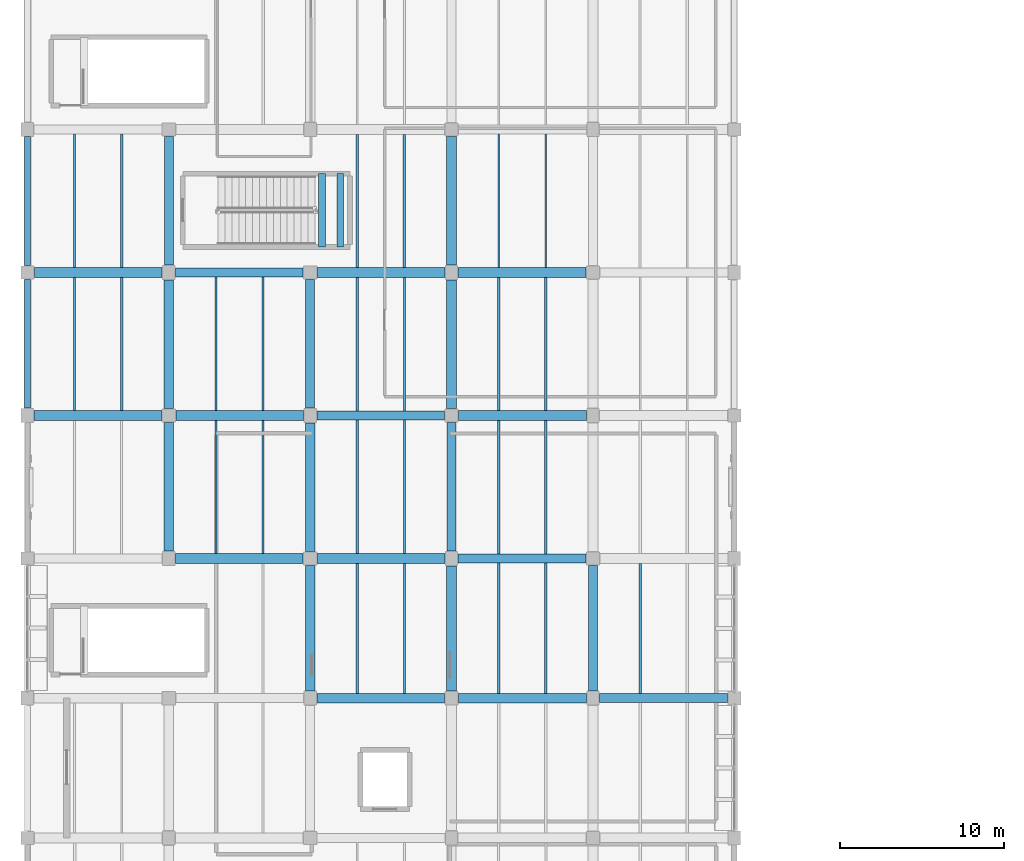
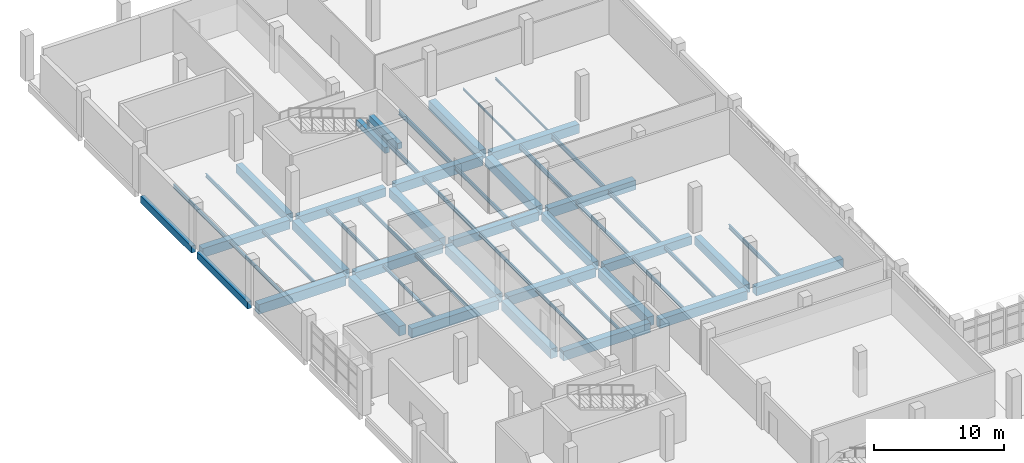
# One storey, part 43 of 76: 54 beams.
"""IFC4 building model written with IfcOpenShell, lengths in metres."""

from ifc_helpers import new_model, si_unit, direction, frame, origin, origin_2d, place, context, subcontext, project, spatial, rectangle, i_section, extrude, material, material_profile, profile_set, type_object, element, save


model = new_model("IFC4")

# Units and contexts
model_context = context("Model", 3, precision=1e-05, world=origin(), true_north=direction((0.0, 1.0)))
body_context = subcontext(model_context, "Body", "Model", "MODEL_VIEW")
ifc_project = project(units=[si_unit("LENGTHUNIT", "METRE"), si_unit("AREAUNIT", "SQUARE_METRE"), si_unit("VOLUMEUNIT", "CUBIC_METRE"), si_unit("PLANEANGLEUNIT", "RADIAN"), si_unit("MASSUNIT", "GRAM", prefix="KILO")], contexts=[model_context])

# Site, building, storey
site_placement = place(None, origin())
site = spatial("IfcSite", under=ifc_project, at=site_placement, CompositionType="ELEMENT")
building_placement = place(site_placement, origin())
building = spatial("IfcBuilding", under=site, at=building_placement, Name="Varnakota Cinema and Media Centre", CompositionType="ELEMENT")
storey_placement = place(building_placement, origin())
storey = spatial("IfcBuildingStorey", under=building, at=storey_placement, Name="L00", CompositionType="ELEMENT", Elevation=0.0)

# Beams
ifc_material_1 = material(Name="Concrete M35", Category="concrete")
ifc_material_profile_1 = material_profile(ifc_material_1, rectangle(XDim=0.39990234375, YDim=0.550048828125, at=origin_2d()), Name="RCB 400x550")
ifc_profile_set_1 = profile_set([ifc_material_profile_1], Name="Concrete M35")
beam_type_1 = type_object("IfcBeamType", Name="BM-RC-400x550", PredefinedType="BEAM", material=ifc_profile_set_1)
for number, where, z_axis, x_axis, name in (
    (1, (17.919921875, 88.449951171875, 1.77490234375), (0.0, 1.0, 0.0), (-1.0, 0.0, 0.0), "L00 ST-05 landing support beam 1"),
    (2, (19.0400390625, 88.449951171875, 1.77490234375), (0.0, 1.0, 0.0), (-1.0, 0.0, 0.0), "L00 ST-05 landing support beam 2"),
):
    element("IfcBeam", number, at=place(storey_placement, frame(where, z_axis=z_axis, x_axis=x_axis)), inside=storey, type_object=beam_type_1, Name=name, PredefinedType="BEAM", context=body_context, shape_type="SweptSolid", body=[
        extrude(rectangle(XDim=0.39990234375, YDim=0.550048828125, at=origin_2d()), origin(), (0.0, 0.0, 1.0), 4.449951171875),
    ])
ifc_material_2 = material(Name="Concrete M35", Category="concrete")
ifc_material_profile_2 = material_profile(ifc_material_2, rectangle(XDim=0.550048828125, YDim=0.800048828125, at=origin_2d()), Name="RCB 550x800")
ifc_profile_set_2 = profile_set([ifc_material_profile_2], Name="Concrete M35")
beam_type_2 = type_object("IfcBeamType", Name="BM-RC-550x800", PredefinedType="BEAM", material=ifc_profile_set_2)
beam_1_placement = place(storey_placement, frame((34.800048828125, 61.0, -0.679931640625), z_axis=(1.0, 0.0, 0.0), x_axis=(0.0, 1.0, 0.0)))
element("IfcBeam", 3, at=beam_1_placement, inside=storey, type_object=beam_type_2, Name="L00 girder E-F/8", PredefinedType="BEAM", context=body_context, shape_type="SweptSolid", body=[
    extrude(rectangle(XDim=0.550048828125, YDim=0.800048828125, at=origin_2d()), origin(), (0.0, 0.0, 1.0), 7.77490234375),
])
beam_2_placement = place(storey_placement, frame((26.199951171875, 69.5, -0.679931640625), z_axis=(1.0, 0.0, 0.0), x_axis=(0.0, 1.0, 0.0)))
element("IfcBeam", 4, at=beam_2_placement, inside=storey, type_object=beam_type_2, Name="L00 girder D-E/9", PredefinedType="BEAM", context=body_context, shape_type="SweptSolid", body=[
    extrude(rectangle(XDim=0.550048828125, YDim=0.800048828125, at=origin_2d()), origin(), (0.0, 0.0, 1.0), 7.775146484375),
])
for number, where, z_axis, x_axis, name in (
    (5, (17.60009765625, 78.199951171875, -0.679931640625), (1.0, 0.0, 0.0), (0.0, 1.0, 0.0), "L00 girder C-D/10"),
    (6, (9.0, 86.89990234375, -0.679931640625), (1.0, 0.0, 0.0), (0.0, 1.0, 0.0), "L00 girder B-C/11"),
):
    element("IfcBeam", number, at=place(storey_placement, frame(where, z_axis=z_axis, x_axis=x_axis)), inside=storey, type_object=beam_type_2, Name=name, PredefinedType="BEAM", context=body_context, shape_type="SweptSolid", body=[
        extrude(rectangle(XDim=0.550048828125, YDim=0.800048828125, at=origin_2d()), origin(), (0.0, 0.0, 1.0), 7.77490234375),
    ])
beam_3_placement = place(storey_placement, frame((8.60009765625, 87.35009765625, -0.679931640625), z_axis=(0.0, 1.0, 0.0), x_axis=(-1.0, 0.0, 0.0)))
element("IfcBeam", 7, at=beam_3_placement, inside=storey, type_object=beam_type_2, Name="L00 girder B/11-12", PredefinedType="BEAM", context=body_context, shape_type="SweptSolid", body=[
    extrude(rectangle(XDim=0.550048828125, YDim=0.800048828125, at=origin_2d()), origin(), (0.0, 0.0, 1.0), 7.824951171875),
])
beam_4_placement = place(storey_placement, frame((17.199951171875, 78.64990234375, -0.679931640625), z_axis=(0.0, 1.0, 0.0), x_axis=(-1.0, 0.0, 0.0)))
element("IfcBeam", 8, at=beam_4_placement, inside=storey, type_object=beam_type_2, Name="L00 girder C/10-11", PredefinedType="BEAM", context=body_context, shape_type="SweptSolid", body=[
    extrude(rectangle(XDim=0.550048828125, YDim=0.800048828125, at=origin_2d()), origin(), (0.0, 0.0, 1.0), 7.8251953125),
])
beam_5_placement = place(storey_placement, frame((25.800048828125, 69.949951171875, -0.679931640625), z_axis=(0.0, 1.0, 0.0), x_axis=(-1.0, 0.0, 0.0)))
element("IfcBeam", 9, at=beam_5_placement, inside=storey, type_object=beam_type_2, Name="L00 girder D/9-10", PredefinedType="BEAM", context=body_context, shape_type="SweptSolid", body=[
    extrude(rectangle(XDim=0.550048828125, YDim=0.800048828125, at=origin_2d()), origin(), (0.0, 0.0, 1.0), 7.824951171875),
])
beam_6_placement = place(storey_placement, frame((34.39990234375, 61.449951171875, -0.679931640625), z_axis=(0.0, 1.0, 0.0), x_axis=(-1.0, 0.0, 0.0)))
element("IfcBeam", 10, at=beam_6_placement, inside=storey, type_object=beam_type_2, Name="L00 girder E/8-9", PredefinedType="BEAM", context=body_context, shape_type="SweptSolid", body=[
    extrude(rectangle(XDim=0.550048828125, YDim=0.800048828125, at=origin_2d()), origin(), (0.0, 0.0, 1.0), 7.625),
])
ifc_material_3 = material(Name="Concrete M35", Category="concrete")
ifc_material_profile_3 = material_profile(ifc_material_3, rectangle(XDim=0.60009765625, YDim=0.85009765625, at=origin_2d()), Name="RCB 600x850")
ifc_profile_set_3 = profile_set([ifc_material_profile_3], Name="Concrete M35")
beam_type_3 = type_object("IfcBeamType", Name="BM-RC-600x850", PredefinedType="BEAM", material=ifc_profile_set_3)
for number, where, z_axis, x_axis, name in (
    (11, (26.22509765625, 61.0, -0.705078125), (1.0, 0.0, 0.0), (0.0, 1.0, 0.0), "L00 girder D-E/8"),
    (12, (17.625, 69.5, -0.705078125), (1.0, 0.0, 0.0), (0.0, 1.0, 0.0), "L00 girder C-D/9"),
):
    element("IfcBeam", number, at=place(storey_placement, frame(where, z_axis=z_axis, x_axis=x_axis)), inside=storey, type_object=beam_type_3, Name=name, PredefinedType="BEAM", context=body_context, shape_type="SweptSolid", body=[
        extrude(rectangle(XDim=0.60009765625, YDim=0.85009765625, at=origin_2d()), origin(), (0.0, 0.0, 1.0), 7.77490234375),
    ])
beam_7_placement = place(storey_placement, frame((9.02490234375, 78.199951171875, -0.705078125), z_axis=(1.0, 0.0, 0.0), x_axis=(0.0, 1.0, 0.0)))
element("IfcBeam", 13, at=beam_7_placement, inside=storey, type_object=beam_type_3, Name="L00 girder B-C/10", PredefinedType="BEAM", context=body_context, shape_type="SweptSolid", body=[
    extrude(rectangle(XDim=0.60009765625, YDim=0.85009765625, at=origin_2d()), origin(), (0.0, 0.0, 1.0), 7.775146484375),
])
beam_8_placement = place(storey_placement, frame((0.425048828125, 86.89990234375, -0.705078125), z_axis=(1.0, 0.0, 0.0), x_axis=(0.0, 1.0, 0.0)))
element("IfcBeam", 14, at=beam_8_placement, inside=storey, type_object=beam_type_3, Name="L00 girder A-B/11", PredefinedType="BEAM", context=body_context, shape_type="SweptSolid", body=[
    extrude(rectangle(XDim=0.60009765625, YDim=0.85009765625, at=origin_2d()), origin(), (0.0, 0.0, 1.0), 7.77490234375),
])
beam_9_placement = place(storey_placement, frame((26.199951171875, 86.89990234375, -0.705078125), z_axis=(1.0, 0.0, 0.0), x_axis=(0.0, 1.0, 0.0)))
element("IfcBeam", 15, at=beam_9_placement, inside=storey, type_object=beam_type_3, Name="L00 girder D-E/11", PredefinedType="BEAM", context=body_context, shape_type="SweptSolid", body=[
    extrude(rectangle(XDim=0.60009765625, YDim=0.85009765625, at=origin_2d()), origin(), (0.0, 0.0, 1.0), 7.775146484375),
])
for number, where, z_axis, x_axis, name in (
    (16, (8.60009765625, 78.625, -0.705078125), (0.0, 1.0, 0.0), (-1.0, 0.0, 0.0), "L00 girder B/10-11"),
    (17, (17.199951171875, 69.925048828125, -0.705078125), (0.0, 1.0, 0.0), (-1.0, 0.0, 0.0), "L00 girder C/9-10"),
):
    element("IfcBeam", number, at=place(storey_placement, frame(where, z_axis=z_axis, x_axis=x_axis)), inside=storey, type_object=beam_type_3, Name=name, PredefinedType="BEAM", context=body_context, shape_type="SweptSolid", body=[
        extrude(rectangle(XDim=0.60009765625, YDim=0.85009765625, at=origin_2d()), origin(), (0.0, 0.0, 1.0), 7.824951171875),
    ])
beam_10_placement = place(storey_placement, frame((25.800048828125, 61.425048828125, -0.705078125), z_axis=(0.0, 1.0, 0.0), x_axis=(-1.0, 0.0, 0.0)))
element("IfcBeam", 18, at=beam_10_placement, inside=storey, type_object=beam_type_3, Name="L00 girder D/8-9", PredefinedType="BEAM", context=body_context, shape_type="SweptSolid", body=[
    extrude(rectangle(XDim=0.60009765625, YDim=0.85009765625, at=origin_2d()), origin(), (0.0, 0.0, 1.0), 7.625),
])
beam_11_placement = place(storey_placement, frame((25.800048828125, 87.35009765625, -0.705078125), z_axis=(0.0, 1.0, 0.0), x_axis=(-1.0, 0.0, 0.0)))
element("IfcBeam", 19, at=beam_11_placement, inside=storey, type_object=beam_type_3, Name="L00 girder D/11-12", PredefinedType="BEAM", context=body_context, shape_type="SweptSolid", body=[
    extrude(rectangle(XDim=0.60009765625, YDim=0.85009765625, at=origin_2d()), origin(), (0.0, 0.0, 1.0), 7.824951171875),
])
ifc_material_4 = material(Name="Concrete M40", Category="concrete")
ifc_material_profile_4 = material_profile(ifc_material_4, rectangle(XDim=0.60009765625, YDim=0.89990234375, at=origin_2d()), Name="RCB 600x900")
ifc_profile_set_4 = profile_set([ifc_material_profile_4], Name="Concrete M40")
beam_type_4 = type_object("IfcBeamType", Name="BM-RC-600x900", PredefinedType="BEAM", material=ifc_profile_set_4)
for number, where, z_axis, x_axis, name in (
    (20, (17.60009765625, 61.0, -0.72998046875), (1.0, 0.0, 0.0), (0.0, 1.0, 0.0), "L00 girder C-D/8"),
    (21, (9.0, 69.5, -0.72998046875), (1.0, 0.0, 0.0), (0.0, 1.0, 0.0), "L00 girder B-C/9"),
):
    element("IfcBeam", number, at=place(storey_placement, frame(where, z_axis=z_axis, x_axis=x_axis)), inside=storey, type_object=beam_type_4, Name=name, PredefinedType="BEAM", context=body_context, shape_type="SweptSolid", body=[
        extrude(rectangle(XDim=0.60009765625, YDim=0.89990234375, at=origin_2d()), origin(), (0.0, 0.0, 1.0), 7.77490234375),
    ])
beam_12_placement = place(storey_placement, frame((0.39990234375, 78.199951171875, -0.72998046875), z_axis=(1.0, 0.0, 0.0), x_axis=(0.0, 1.0, 0.0)))
element("IfcBeam", 22, at=beam_12_placement, inside=storey, type_object=beam_type_4, Name="L00 girder A-B/10", PredefinedType="BEAM", context=body_context, shape_type="SweptSolid", body=[
    extrude(rectangle(XDim=0.60009765625, YDim=0.89990234375, at=origin_2d()), origin(), (0.0, 0.0, 1.0), 7.775146484375),
])
for number, where, z_axis, x_axis, name in (
    (23, (26.22509765625, 78.199951171875, -0.72998046875), (1.0, 0.0, 0.0), (0.0, 1.0, 0.0), "L00 girder D-E/10"),
    (24, (17.625, 86.89990234375, -0.72998046875), (1.0, 0.0, 0.0), (0.0, 1.0, 0.0), "L00 girder C-D/11"),
):
    element("IfcBeam", number, at=place(storey_placement, frame(where, z_axis=z_axis, x_axis=x_axis)), inside=storey, type_object=beam_type_4, Name=name, PredefinedType="BEAM", context=body_context, shape_type="SweptSolid", body=[
        extrude(rectangle(XDim=0.60009765625, YDim=0.89990234375, at=origin_2d()), origin(), (0.0, 0.0, 1.0), 7.77490234375),
    ])
beam_13_placement = place(storey_placement, frame((8.60009765625, 69.949951171875, -0.72998046875), z_axis=(0.0, 1.0, 0.0), x_axis=(-1.0, 0.0, 0.0)))
element("IfcBeam", 25, at=beam_13_placement, inside=storey, type_object=beam_type_4, Name="L00 girder B/9-10", PredefinedType="BEAM", context=body_context, shape_type="SweptSolid", body=[
    extrude(rectangle(XDim=0.60009765625, YDim=0.89990234375, at=origin_2d()), origin(), (0.0, 0.0, 1.0), 7.824951171875),
])
beam_14_placement = place(storey_placement, frame((17.199951171875, 61.449951171875, -0.72998046875), z_axis=(0.0, 1.0, 0.0), x_axis=(-1.0, 0.0, 0.0)))
element("IfcBeam", 26, at=beam_14_placement, inside=storey, type_object=beam_type_4, Name="L00 girder C/8-9", PredefinedType="BEAM", context=body_context, shape_type="SweptSolid", body=[
    extrude(rectangle(XDim=0.60009765625, YDim=0.89990234375, at=origin_2d()), origin(), (0.0, 0.0, 1.0), 7.625),
])
beam_15_placement = place(storey_placement, frame((25.800048828125, 78.625, -0.72998046875), z_axis=(0.0, 1.0, 0.0), x_axis=(-1.0, 0.0, 0.0)))
element("IfcBeam", 27, at=beam_15_placement, inside=storey, type_object=beam_type_4, Name="L00 girder D/10-11", PredefinedType="BEAM", context=body_context, shape_type="SweptSolid", body=[
    extrude(rectangle(XDim=0.60009765625, YDim=0.89990234375, at=origin_2d()), origin(), (0.0, 0.0, 1.0), 7.824951171875),
])
ifc_material_5 = material(Name="Concrete M40", Category="concrete")
ifc_material_profile_5 = material_profile(ifc_material_5, rectangle(XDim=0.35009765625, YDim=0.64990234375, at=origin_2d()), Name="RCB 350x650")
ifc_profile_set_5 = profile_set([ifc_material_profile_5], Name="Concrete M40")
beam_type_5 = type_object("IfcBeamType", Name="BM-SP-350x650", PredefinedType="SPANDREL", material=ifc_profile_set_5)
beam_16_placement = place(storey_placement, frame((0.0, 78.64990234375, -0.60498046875), z_axis=(0.0, 1.0, 0.0), x_axis=(-1.0, 0.0, 0.0)))
element("IfcBeam", 28, at=beam_16_placement, inside=storey, type_object=beam_type_5, Name="L00 girder A/10-11", PredefinedType="SPANDREL", context=body_context, shape_type="SweptSolid", body=[
    extrude(rectangle(XDim=0.35009765625, YDim=0.64990234375, at=origin_2d()), origin(), (0.0, 0.0, 1.0), 7.8251953125),
])
beam_17_placement = place(storey_placement, frame((0.0, 87.324951171875, -0.60498046875), z_axis=(0.0, 1.0, 0.0), x_axis=(-1.0, 0.0, 0.0)))
element("IfcBeam", 29, at=beam_17_placement, inside=storey, type_object=beam_type_5, Name="L00 girder A/11-12", PredefinedType="SPANDREL", context=body_context, shape_type="SweptSolid", body=[
    extrude(rectangle(XDim=0.35009765625, YDim=0.64990234375, at=origin_2d()), origin(), (0.0, 0.0, 1.0), 7.824951171875),
])
ifc_material_6 = material(Name="Structural steel Grade 350 (E350)", Category="steel")
ifc_material_profile_6 = material_profile(ifc_material_6, i_section(OverallWidth=0.10009765625, OverallDepth=0.199951171875, WebThickness=0.005615234375, FlangeThickness=0.0107421875, FilletRadius=0.010986328125, at=origin_2d()), Name="ISMB 200")
ifc_profile_set_6 = profile_set([ifc_material_profile_6], Name="Structural steel Grade 350 (E350)")
beam_type_6 = type_object("IfcBeamType", Name="BM-ST-ISMB200", PredefinedType="JOIST", material=ifc_profile_set_6)
for number, where, z_axis, x_axis, name in (
    (30, (28.666748046875, 87.199951171875, -0.3798828125), (0.0, 1.0, 0.0), (-1.0, 0.0, 0.0), "L00 steel joist D-E/11-12 #1"),
    (31, (31.533203125, 87.199951171875, -0.3798828125), (0.0, 1.0, 0.0), (-1.0, 0.0, 0.0), "L00 steel joist D-E/11-12 #2"),
):
    element("IfcBeam", number, at=place(storey_placement, frame(where, z_axis=z_axis, x_axis=x_axis)), inside=storey, type_object=beam_type_6, Name=name, PredefinedType="JOIST", context=body_context, shape_type="SweptSolid", body=[
        extrude(i_section(OverallWidth=0.10009765625, OverallDepth=0.199951171875, WebThickness=0.005615234375, FlangeThickness=0.0107421875, FilletRadius=0.010986328125, at=origin_2d()), origin(), (0.0, 0.0, 1.0), 8.125),
    ])
ifc_material_7 = material(Name="Structural steel Grade 350 (E350)", Category="steel")
ifc_material_profile_7 = material_profile(ifc_material_7, i_section(OverallWidth=0.139892578125, OverallDepth=0.300048828125, WebThickness=0.0078125, FlangeThickness=0.01318359375, FilletRadius=0.013916015625, at=origin_2d()), Name="ISMB 300")
ifc_profile_set_7 = profile_set([ifc_material_profile_7], Name="Structural steel Grade 350 (E350)")
beam_type_7 = type_object("IfcBeamType", Name="BM-ST-ISMB300", PredefinedType="JOIST", material=ifc_profile_set_7)
for number, where, z_axis, x_axis, name in (
    (32, (2.86669921875, 78.5, -0.429931640625), (0.0, 1.0, 0.0), (-1.0, 0.0, 0.0), "L00 steel joist A-B/10-11 #1"),
    (33, (5.7333984375, 78.5, -0.429931640625), (0.0, 1.0, 0.0), (-1.0, 0.0, 0.0), "L00 steel joist A-B/10-11 #2"),
):
    element("IfcBeam", number, at=place(storey_placement, frame(where, z_axis=z_axis, x_axis=x_axis)), inside=storey, type_object=beam_type_7, Name=name, PredefinedType="JOIST", context=body_context, shape_type="SweptSolid", body=[
        extrude(i_section(OverallWidth=0.139892578125, OverallDepth=0.300048828125, WebThickness=0.0078125, FlangeThickness=0.01318359375, FilletRadius=0.013916015625, at=origin_2d()), origin(), (0.0, 0.0, 1.0), 8.10009765625),
    ])
for number, where, z_axis, x_axis, name in (
    (34, (11.466796875, 69.800048828125, -0.429931640625), (0.0, 1.0, 0.0), (-1.0, 0.0, 0.0), "L00 steel joist B-C/9-10 #1"),
    (35, (14.333251953125, 69.800048828125, -0.429931640625), (0.0, 1.0, 0.0), (-1.0, 0.0, 0.0), "L00 steel joist B-C/9-10 #2"),
):
    element("IfcBeam", number, at=place(storey_placement, frame(where, z_axis=z_axis, x_axis=x_axis)), inside=storey, type_object=beam_type_7, Name=name, PredefinedType="JOIST", context=body_context, shape_type="SweptSolid", body=[
        extrude(i_section(OverallWidth=0.139892578125, OverallDepth=0.300048828125, WebThickness=0.0078125, FlangeThickness=0.01318359375, FilletRadius=0.013916015625, at=origin_2d()), origin(), (0.0, 0.0, 1.0), 8.099853515625),
    ])
for number, where, z_axis, x_axis, name in (
    (36, (20.066650390625, 61.300048828125, -0.429931640625), (0.0, 1.0, 0.0), (-1.0, 0.0, 0.0), "L00 steel joist C-D/8-9 #1"),
    (37, (22.933349609375, 61.300048828125, -0.429931640625), (0.0, 1.0, 0.0), (-1.0, 0.0, 0.0), "L00 steel joist C-D/8-9 #2"),
):
    element("IfcBeam", number, at=place(storey_placement, frame(where, z_axis=z_axis, x_axis=x_axis)), inside=storey, type_object=beam_type_7, Name=name, PredefinedType="JOIST", context=body_context, shape_type="SweptSolid", body=[
        extrude(i_section(OverallWidth=0.139892578125, OverallDepth=0.300048828125, WebThickness=0.0078125, FlangeThickness=0.01318359375, FilletRadius=0.013916015625, at=origin_2d()), origin(), (0.0, 0.0, 1.0), 7.89990234375),
    ])
ifc_material_8 = material(Name="Structural steel Grade 350 (E350)", Category="steel")
ifc_material_profile_8 = material_profile(ifc_material_8, i_section(OverallWidth=0.139892578125, OverallDepth=0.35009765625, WebThickness=0.008056640625, FlangeThickness=0.01416015625, FilletRadius=0.013916015625, at=origin_2d()), Name="ISMB 350")
ifc_profile_set_8 = profile_set([ifc_material_profile_8], Name="Structural steel Grade 350 (E350)")
beam_type_8 = type_object("IfcBeamType", Name="BM-ST-ISMB350", PredefinedType="JOIST", material=ifc_profile_set_8)
for number, where, z_axis, x_axis, name in (
    (38, (2.86669921875, 87.199951171875, -0.455078125), (0.0, 1.0, 0.0), (-1.0, 0.0, 0.0), "L00 steel joist A-B/11-12 #1"),
    (39, (5.7333984375, 87.199951171875, -0.455078125), (0.0, 1.0, 0.0), (-1.0, 0.0, 0.0), "L00 steel joist A-B/11-12 #2"),
    (40, (11.466796875, 78.5, -0.455078125), (0.0, 1.0, 0.0), (-1.0, 0.0, 0.0), "L00 steel joist B-C/10-11 #1"),
    (41, (14.333251953125, 78.5, -0.455078125), (0.0, 1.0, 0.0), (-1.0, 0.0, 0.0), "L00 steel joist B-C/10-11 #2"),
    (42, (20.066650390625, 69.800048828125, -0.455078125), (0.0, 1.0, 0.0), (-1.0, 0.0, 0.0), "L00 steel joist C-D/9-10 #1"),
    (43, (22.933349609375, 69.800048828125, -0.455078125), (0.0, 1.0, 0.0), (-1.0, 0.0, 0.0), "L00 steel joist C-D/9-10 #2"),
):
    element("IfcBeam", number, at=place(storey_placement, frame(where, z_axis=z_axis, x_axis=x_axis)), inside=storey, type_object=beam_type_8, Name=name, PredefinedType="JOIST", context=body_context, shape_type="SweptSolid", body=[
        extrude(i_section(OverallWidth=0.139892578125, OverallDepth=0.35009765625, WebThickness=0.008056640625, FlangeThickness=0.01416015625, FilletRadius=0.013916015625, at=origin_2d()), origin(), (0.0, 0.0, 1.0), 8.125),
    ])
for number, where, z_axis, x_axis, name in (
    (44, (28.666748046875, 61.300048828125, -0.455078125), (0.0, 1.0, 0.0), (-1.0, 0.0, 0.0), "L00 steel joist D-E/8-9 #1"),
    (45, (31.533203125, 61.300048828125, -0.455078125), (0.0, 1.0, 0.0), (-1.0, 0.0, 0.0), "L00 steel joist D-E/8-9 #2"),
):
    element("IfcBeam", number, at=place(storey_placement, frame(where, z_axis=z_axis, x_axis=x_axis)), inside=storey, type_object=beam_type_8, Name=name, PredefinedType="JOIST", context=body_context, shape_type="SweptSolid", body=[
        extrude(i_section(OverallWidth=0.139892578125, OverallDepth=0.35009765625, WebThickness=0.008056640625, FlangeThickness=0.01416015625, FilletRadius=0.013916015625, at=origin_2d()), origin(), (0.0, 0.0, 1.0), 7.925048828125),
    ])
ifc_material_9 = material(Name="Structural steel Grade 350 (E350)", Category="steel")
ifc_material_profile_9 = material_profile(ifc_material_9, i_section(OverallWidth=0.139892578125, OverallDepth=0.39990234375, WebThickness=0.0087890625, FlangeThickness=0.01611328125, FilletRadius=0.013916015625, at=origin_2d()), Name="ISMB 400")
ifc_profile_set_9 = profile_set([ifc_material_profile_9], Name="Structural steel Grade 350 (E350)")
beam_type_9 = type_object("IfcBeamType", Name="BM-ST-ISMB400", PredefinedType="JOIST", material=ifc_profile_set_9)
for number, where, z_axis, x_axis, name in (
    (46, (20.066650390625, 78.47509765625, -0.47998046875), (0.0, 1.0, 0.0), (-1.0, 0.0, 0.0), "L00 steel joist C-D/10-11 #1"),
    (47, (22.933349609375, 78.47509765625, -0.47998046875), (0.0, 1.0, 0.0), (-1.0, 0.0, 0.0), "L00 steel joist C-D/10-11 #2"),
    (48, (28.666748046875, 69.77490234375, -0.47998046875), (0.0, 1.0, 0.0), (-1.0, 0.0, 0.0), "L00 steel joist D-E/9-10 #1"),
    (49, (31.533203125, 69.77490234375, -0.47998046875), (0.0, 1.0, 0.0), (-1.0, 0.0, 0.0), "L00 steel joist D-E/9-10 #2"),
):
    element("IfcBeam", number, at=place(storey_placement, frame(where, z_axis=z_axis, x_axis=x_axis)), inside=storey, type_object=beam_type_9, Name=name, PredefinedType="JOIST", context=body_context, shape_type="SweptSolid", body=[
        extrude(i_section(OverallWidth=0.139892578125, OverallDepth=0.39990234375, WebThickness=0.0087890625, FlangeThickness=0.01611328125, FilletRadius=0.013916015625, at=origin_2d()), origin(), (0.0, 0.0, 1.0), 8.125),
    ])
beam_18_placement = place(storey_placement, frame((37.2666015625, 61.27490234375, -0.47998046875), z_axis=(0.0, 1.0, 0.0), x_axis=(-1.0, 0.0, 0.0)))
element("IfcBeam", 50, at=beam_18_placement, inside=storey, type_object=beam_type_9, Name="L00 steel joist E-F/8-9 #1", PredefinedType="JOIST", context=body_context, shape_type="SweptSolid", body=[
    extrude(i_section(OverallWidth=0.139892578125, OverallDepth=0.39990234375, WebThickness=0.0087890625, FlangeThickness=0.01611328125, FilletRadius=0.013916015625, at=origin_2d()), origin(), (0.0, 0.0, 1.0), 7.925048828125),
])
ifc_material_10 = material(Name="Structural steel Grade 350 (E350)", Category="steel")
ifc_material_profile_10 = material_profile(ifc_material_10, i_section(OverallWidth=0.14990234375, OverallDepth=0.449951171875, WebThickness=0.009521484375, FlangeThickness=0.017333984375, FilletRadius=0.014892578125, at=origin_2d()), Name="ISMB 450")
ifc_profile_set_10 = profile_set([ifc_material_profile_10], Name="Structural steel Grade 350 (E350)")
beam_type_10 = type_object("IfcBeamType", Name="BM-ST-ISMB450", PredefinedType="BEAM", material=ifc_profile_set_10)
for number, where, z_axis, x_axis, name in (
    (51, (20.066650390625, 87.199951171875, -0.5048828125), (0.0, 1.0, 0.0), (-1.0, 0.0, 0.0), "L00 steel joist C-D/11-12 #1"),
    (52, (22.933349609375, 87.199951171875, -0.5048828125), (0.0, 1.0, 0.0), (-1.0, 0.0, 0.0), "L00 steel joist C-D/11-12 #2"),
    (53, (28.666748046875, 78.5, -0.5048828125), (0.0, 1.0, 0.0), (-1.0, 0.0, 0.0), "L00 steel joist D-E/10-11 #1"),
    (54, (31.533203125, 78.5, -0.5048828125), (0.0, 1.0, 0.0), (-1.0, 0.0, 0.0), "L00 steel joist D-E/10-11 #2"),
):
    element("IfcBeam", number, at=place(storey_placement, frame(where, z_axis=z_axis, x_axis=x_axis)), inside=storey, type_object=beam_type_10, Name=name, PredefinedType="BEAM", context=body_context, shape_type="SweptSolid", body=[
        extrude(i_section(OverallWidth=0.14990234375, OverallDepth=0.449951171875, WebThickness=0.009521484375, FlangeThickness=0.017333984375, FilletRadius=0.014892578125, at=origin_2d()), origin(), (0.0, 0.0, 1.0), 8.10009765625),
    ])

save(model, "model.ifc")
